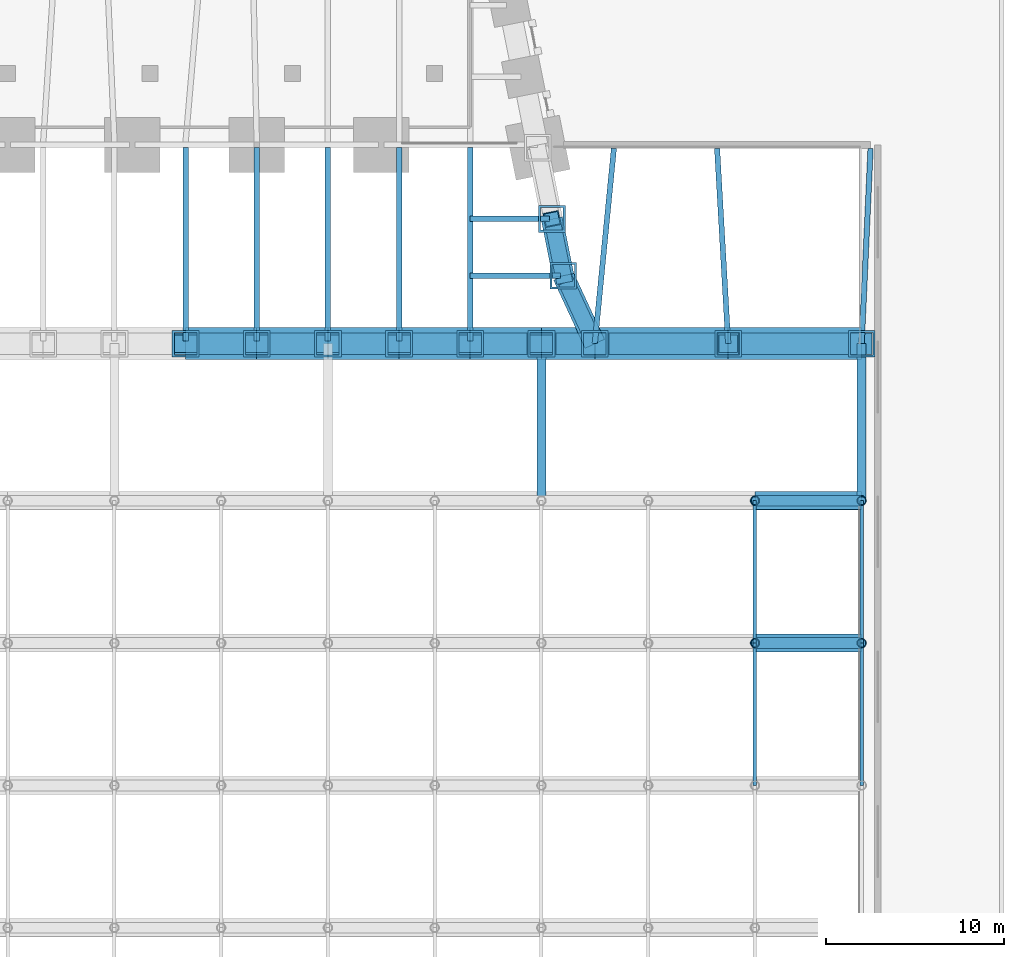
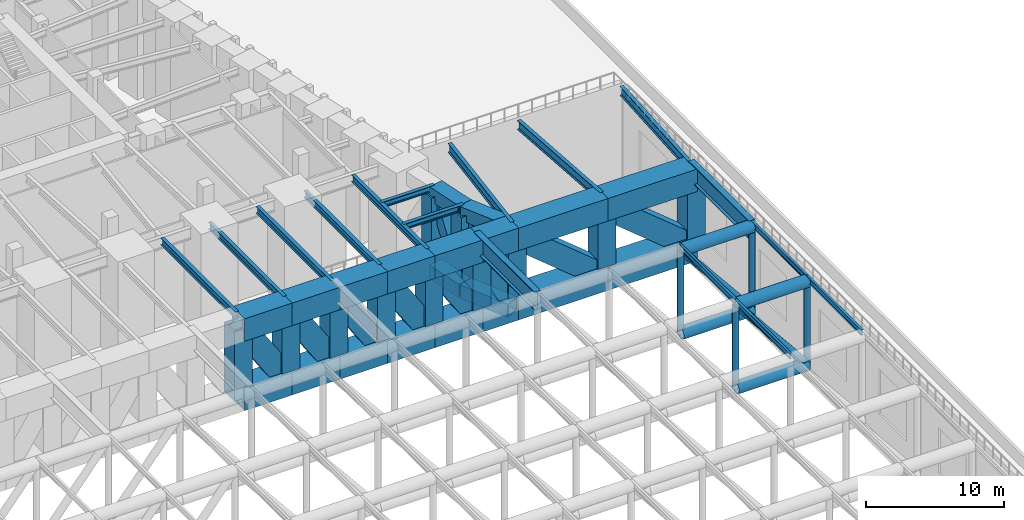
# One storey, part 6 of 20: 51 members, 16 beams.
"""IFC4 building model written with IfcOpenShell, lengths in metres."""

import ifcopenshell
import ifcopenshell.guid

model = None  # the IFC model being written
_history = None  # IfcOwnerHistory: only IFC2X3 demands one
_inside = {}  # id of a spatial element -> (the spatial element, [elements in it])
_under = {}  # id of a project, library or spatial element -> (it, [spatial elements below it])
_declared = {}  # id of a project -> (the project, [libraries it declares])
_typed = {}  # id of a type object -> (the type object, [elements of that type])
_made_of = {}  # id of a material, layer set ... -> (it, [elements and type objects made of it])


def new_model(schema):
    """Start an empty IFC model of exactly this schema.

    Asked for "IFC4X3", IfcOpenShell would pick the latest addendum, in which some entities
    have other attributes; the version numbers below select the first issue.
    IFC2X3 requires an IfcOwnerHistory on every rooted entity: one is made here for all.
    """
    global model, _history
    if schema == "IFC4X3":
        model = ifcopenshell.file(schema_version=(4, 3, 0, 0))
    else:
        model = ifcopenshell.file(schema=schema)
    _inside.clear()
    _under.clear()
    _declared.clear()
    _typed.clear()
    _made_of.clear()
    _history = None
    if model.schema == "IFC2X3":
        org = make("IfcOrganization", Name="unknown")
        user = make(
            "IfcPersonAndOrganization",
            ThePerson=make("IfcPerson", FamilyName="unknown"),
            TheOrganization=org,
        )
        app = make(
            "IfcApplication",
            ApplicationDeveloper=org,
            Version="unknown",
            ApplicationFullName="unknown",
            ApplicationIdentifier="unknown",
        )
        _history = make(
            "IfcOwnerHistory",
            OwningUser=user,
            OwningApplication=app,
            ChangeAction="ADDED",
            CreationDate=0,
        )
    return model


def make(cls, **values):
    """One entity of the class cls with the attributes given. An attribute that is None is left unset."""
    return model.create_entity(
        cls, **{name: value for name, value in values.items() if value is not None}
    )


def rooted(cls, **values):
    """An entity with a GlobalId (a new one), such as an element, a storey or a relation."""
    return make(cls, GlobalId=ifcopenshell.guid.new(), OwnerHistory=_history, **values)


def si_unit(unit_type, name, prefix=None):
    """IfcSIUnit, for example si_unit("LENGTHUNIT", "METRE", prefix="MILLI")."""
    return make("IfcSIUnit", UnitType=unit_type, Prefix=prefix, Name=name)


def assignment(units):
    """IfcUnitAssignment: the units of a project."""
    return None if units is None else make("IfcUnitAssignment", Units=units)


def point(xyz):
    """IfcCartesianPoint."""
    return None if xyz is None else make("IfcCartesianPoint", Coordinates=xyz)


def direction(xyz):
    """IfcDirection."""
    return None if xyz is None else make("IfcDirection", DirectionRatios=xyz)


def frame(location, z_axis=None, x_axis=None):
    """IfcAxis2Placement3D, a coordinate frame: its origin and axes. An axis left out is left unset."""
    return make(
        "IfcAxis2Placement3D",
        Location=point(location),
        Axis=direction(z_axis),
        RefDirection=direction(x_axis),
    )


def frame_2d(location, x_axis=None):
    """IfcAxis2Placement2D, a coordinate frame in the plane: its origin and x axis."""
    return make(
        "IfcAxis2Placement2D", Location=point(location), RefDirection=direction(x_axis)
    )


def origin():
    """The frame at (0, 0, 0) with its axes left unset."""
    return frame((0.0, 0.0, 0.0))


def origin_2d():
    """The frame at (0, 0) in the plane with its x axis left unset."""
    return frame_2d((0.0, 0.0))


def place(relative_to, where):
    """IfcLocalPlacement: puts the frame where relative to a parent placement (None: the world)."""
    return make(
        "IfcLocalPlacement", PlacementRelTo=relative_to, RelativePlacement=where
    )


def context(
    kind, dimensions, precision=None, world=None, true_north=None, identifier=None
):
    """IfcGeometricRepresentationContext, for example the 3D "Model" context."""
    return make(
        "IfcGeometricRepresentationContext",
        ContextIdentifier=identifier,
        ContextType=kind,
        CoordinateSpaceDimension=dimensions,
        Precision=precision,
        WorldCoordinateSystem=world,
        TrueNorth=true_north,
    )


def subcontext(parent, identifier, kind, view, scale=None):
    """IfcGeometricRepresentationSubContext, for example "Body" below "Model"."""
    return make(
        "IfcGeometricRepresentationSubContext",
        ContextIdentifier=identifier,
        ContextType=kind,
        ParentContext=parent,
        TargetScale=scale,
        TargetView=view,
    )


def project(units=None, contexts=None):
    """IfcProject with its units and contexts."""
    return rooted(
        "IfcProject",
        Name="project",
        RepresentationContexts=contexts,
        UnitsInContext=assignment(units),
    )


def spatial(cls, under=None, at=None, **own):
    """A site, building, storey or space (cls), placed at a placement, below another one or the project."""
    s = rooted(cls, ObjectPlacement=at, **own)
    if under is not None:
        _under.setdefault(under.id(), (under, []))[1].append(s)
    return s


def profile(cls, at=None, kind="AREA", **sizes):
    """A parametric profile (cls). Its sizes go by their IFC names, for example OverallWidth=200.0."""
    return make(cls, ProfileType=kind, Position=at, **sizes)


def hollow_rectangle(**sizes):
    """IfcRectangleHollowProfileDef."""
    return profile("IfcRectangleHollowProfileDef", **sizes)


def hollow_circle(**sizes):
    """IfcCircleHollowProfileDef."""
    return profile("IfcCircleHollowProfileDef", **sizes)


def i_section(**sizes):
    """IfcIShapeProfileDef."""
    return profile("IfcIShapeProfileDef", **sizes)


def extrude(swept, where, along, depth):
    """IfcExtrudedAreaSolid: the profile swept, set in the frame where, extruded along a direction by depth."""
    return make(
        "IfcExtrudedAreaSolid",
        SweptArea=swept,
        Position=where,
        ExtrudedDirection=direction(along),
        Depth=depth,
    )


def shape(context_of_items, identifier, shape_type, items):
    """IfcShapeRepresentation: the items that make up one representation, for example the "Body"."""
    return make(
        "IfcShapeRepresentation",
        ContextOfItems=context_of_items,
        RepresentationIdentifier=identifier,
        RepresentationType=shape_type,
        Items=items,
    )


def material(Name=None, Category=None):
    """IfcMaterial."""
    return make("IfcMaterial", Name=Name, Category=Category)


def material_profile(
    of_material, cross_section, Name=None, Category=None, Priority=None
):
    """IfcMaterialProfile: a cross section and its material."""
    return make(
        "IfcMaterialProfile",
        Name=Name,
        Material=of_material,
        Profile=cross_section,
        Priority=Priority,
        Category=Category,
    )


def profile_set(profiles, Name=None, composite=None):
    """IfcMaterialProfileSet."""
    return make(
        "IfcMaterialProfileSet",
        Name=Name,
        MaterialProfiles=profiles,
        CompositeProfile=composite,
    )


def made_of(thing, what):
    """Note that an element or type object is made of a material, layer set ...; save() writes the relation."""
    if what is not None:
        _made_of.setdefault(what.id(), (what, []))[1].append(thing)
    return thing


def type_object(cls, material=None, **own):
    """A type object (cls), such as IfcWallType, which elements share."""
    return made_of(rooted(cls, **own), material)


def element(
    cls,
    number,
    at=None,
    inside=None,
    cuts=None,
    type_object=None,
    material=None,
    context=None,
    identifier="Body",
    shape_type=None,
    held_by="IfcProductDefinitionShape",
    body=None,
    shapes=None,
    **own,
):
    """One element of the class cls, such as IfcWall. Its Tag is "e" and its number.

    at: its placement. inside: the storey or other place that contains it. cuts: it is an
    opening in that element (IfcRelVoidsElement). A single representation is given by context,
    identifier, shape_type and body (its items); several are given by shapes. held_by: the class
    of the entity that holds the representations. save() writes the other relations.
    """
    e = rooted(cls, Tag="e%d" % number, ObjectPlacement=at, **own)
    if body is not None:
        shapes = [shape(context, identifier, shape_type, body)]
    if shapes is not None:
        e.Representation = make(held_by, Representations=shapes)
    if inside is not None:
        _inside.setdefault(inside.id(), (inside, []))[1].append(e)
    if cuts is not None:
        rooted(
            "IfcRelVoidsElement", RelatingBuildingElement=cuts, RelatedOpeningElement=e
        )
    if type_object is not None:
        _typed.setdefault(type_object.id(), (type_object, []))[1].append(e)
    return made_of(e, material)


def aggregate(whole, parts):
    """IfcRelAggregates: a whole, such as a stair, and the parts it consists of."""
    return rooted("IfcRelAggregates", RelatingObject=whole, RelatedObjects=parts)


def save(model, path):
    """Write the relations noted so far, then the file.

    IfcRelAggregates (storeys below a building ...), IfcRelContainedInSpatialStructure (elements
    in a storey), IfcRelDefinesByType, IfcRelAssociatesMaterial and IfcRelDeclares: one each for
    every whole, place, type object, material and project.
    """
    for whole, parts in _under.values():
        aggregate(whole, parts)
    for where, things in _inside.values():
        rooted(
            "IfcRelContainedInSpatialStructure",
            RelatedElements=things,
            RelatingStructure=where,
        )
    for kind, things in _typed.values():
        rooted("IfcRelDefinesByType", RelatedObjects=things, RelatingType=kind)
    for what, things in _made_of.values():
        rooted("IfcRelAssociatesMaterial", RelatedObjects=things, RelatingMaterial=what)
    for by, libraries in _declared.values():
        rooted("IfcRelDeclares", RelatingContext=by, RelatedDefinitions=libraries)
    model.write(path)


model = new_model("IFC4")

# Units and contexts
model_context = context("Model", 3, precision=1e-05, world=origin(), true_north=direction((0.0, 1.0)))
body_context = subcontext(model_context, "Body", "Model", "MODEL_VIEW")
ifc_project = project(units=[si_unit("LENGTHUNIT", "METRE"), si_unit("AREAUNIT", "SQUARE_METRE"), si_unit("VOLUMEUNIT", "CUBIC_METRE"), si_unit("PLANEANGLEUNIT", "RADIAN"), si_unit("MASSUNIT", "GRAM", prefix="KILO")], contexts=[model_context])

# Site, building, storey
site_placement = place(None, origin())
site = spatial("IfcSite", under=ifc_project, at=site_placement, CompositionType="ELEMENT")
building_placement = place(site_placement, origin())
building = spatial("IfcBuilding", under=site, at=building_placement, Name="Isbrekke Arena Tower", CompositionType="ELEMENT")
storey_placement = place(building_placement, frame((0.0, 0.0, 19.0)))
storey = spatial("IfcBuildingStorey", under=building, at=storey_placement, Name="L03", CompositionType="ELEMENT", Elevation=19.0)

# Beams
ifc_material_1 = material(Name="Steel S355", Category="steel")
ifc_material_profile_1 = material_profile(ifc_material_1, i_section(OverallWidth=0.304931640625, OverallDepth=0.6201171875, WebThickness=0.02099609375, FlangeThickness=0.0400390625, FilletRadius=0.027099609375, at=origin_2d()), Name="HEM 600")
ifc_profile_set_1 = profile_set([ifc_material_profile_1], Name="Steel S355")
beam_type_1 = type_object("IfcBeamType", Name="B4 HEM 600", PredefinedType="BEAM", material=ifc_profile_set_1)
beam_1_placement = place(storey_placement, frame((10.0, -17.02490234375, 8.43994140625), z_axis=(0.0, 1.0, 0.0), x_axis=(-1.0, 0.0, 0.0)))
element("IfcBeam", 1, at=beam_1_placement, inside=storey, type_object=beam_type_1, Name="B4 beam S-S11 L03", PredefinedType="BEAM", context=body_context, shape_type="SweptSolid", body=[
    extrude(i_section(OverallWidth=0.304931640625, OverallDepth=0.6201171875, WebThickness=0.02099609375, FlangeThickness=0.0400390625, FilletRadius=0.027099609375, at=origin_2d()), origin(), (0.0, 0.0, 1.0), 10.8740234375),
])
beam_2_placement = place(storey_placement, frame((14.0, -17.02490234375, 8.43994140625), z_axis=(0.0, 1.0, 0.0), x_axis=(-1.0, 0.0, 0.0)))
element("IfcBeam", 2, at=beam_2_placement, inside=storey, type_object=beam_type_1, Name="B4 beam S-S12 L03", PredefinedType="BEAM", context=body_context, shape_type="SweptSolid", body=[
    extrude(i_section(OverallWidth=0.304931640625, OverallDepth=0.6201171875, WebThickness=0.02099609375, FlangeThickness=0.0400390625, FilletRadius=0.027099609375, at=origin_2d()), origin(), (0.0, 0.0, 1.0), 10.875),
])
for number, where, z_axis, x_axis, name in (
    (3, (18.0, -17.02490234375, 8.43994140625), (0.0, 1.0, 0.0), (-1.0, 0.0, 0.0), "B4 beam S-S13 L03"),
    (4, (22.0, -17.02490234375, 8.43994140625), (0.0, 1.0, 0.0), (-1.0, 0.0, 0.0), "B4 beam S-S14 L03"),
    (5, (26.0, -17.02490234375, 8.43994140625), (0.0, 1.0, 0.0), (-1.0, 0.0, 0.0), "B4 beam S-S15 L03"),
):
    element("IfcBeam", number, at=place(storey_placement, frame(where, z_axis=z_axis, x_axis=x_axis)), inside=storey, type_object=beam_type_1, Name=name, PredefinedType="BEAM", context=body_context, shape_type="SweptSolid", body=[
        extrude(i_section(OverallWidth=0.304931640625, OverallDepth=0.6201171875, WebThickness=0.02099609375, FlangeThickness=0.0400390625, FilletRadius=0.027099609375, at=origin_2d()), origin(), (0.0, 0.0, 1.0), 10.8740234375),
    ])
ifc_material_2 = material(Name="Steel S355", Category="steel")
ifc_material_profile_2 = material_profile(ifc_material_2, i_section(OverallWidth=0.305908203125, OverallDepth=0.52392578125, WebThickness=0.02099609375, FlangeThickness=0.0400390625, FilletRadius=0.027099609375, at=origin_2d()), Name="HEM 500")
ifc_profile_set_2 = profile_set([ifc_material_profile_2], Name="Steel S355")
beam_type_2 = type_object("IfcBeamType", Name="B5 HEM 500", PredefinedType="BEAM", material=ifc_profile_set_2)
beam_3_placement = place(storey_placement, frame((31.079345703125, -13.352783203125, 8.488037109375), z_axis=(-1.0, 0.0, 0.0), x_axis=(0.0, -1.0, 0.0)))
element("IfcBeam", 6, at=beam_3_placement, inside=storey, type_object=beam_type_2, Name="B5 beam E-E01 L03", PredefinedType="BEAM", context=body_context, shape_type="SweptSolid", body=[
    extrude(i_section(OverallWidth=0.305908203125, OverallDepth=0.52392578125, WebThickness=0.02099609375, FlangeThickness=0.0400390625, FilletRadius=0.027099609375, at=origin_2d()), origin(), (0.0, 0.0, 1.0), 5.079345703125),
])
beam_4_placement = place(storey_placement, frame((30.44091796875, -10.161865234375, 8.488037109375), z_axis=(-1.0, 0.0, 0.0), x_axis=(0.0, -1.0, 0.0)))
element("IfcBeam", 7, at=beam_4_placement, inside=storey, type_object=beam_type_2, Name="B5 beam E-E02 L03", PredefinedType="BEAM", context=body_context, shape_type="SweptSolid", body=[
    extrude(i_section(OverallWidth=0.305908203125, OverallDepth=0.52392578125, WebThickness=0.02099609375, FlangeThickness=0.0400390625, FilletRadius=0.027099609375, at=origin_2d()), origin(), (0.0, 0.0, 1.0), 4.44091796875),
])
ifc_material_3 = material(Name="Steel S355", Category="steel")
ifc_material_profile_3 = material_profile(ifc_material_3, i_section(OverallWidth=0.199951171875, OverallDepth=0.5, WebThickness=0.01025390625, FlangeThickness=0.01611328125, FilletRadius=0.02099609375, at=origin_2d()), Name="IPE 500")
ifc_profile_set_3 = profile_set([ifc_material_profile_3], Name="Steel S355")
beam_type_3 = type_object("IfcBeamType", Name="RP1 IPE 500", PredefinedType="BEAM", material=ifc_profile_set_3)
for number, where, z_axis, x_axis, name in (
    (8, (42.0, -42.0, 8.75), (0.0, 1.0, 0.0), (-1.0, 0.0, 0.0), "RP1 roof purlin 4.16"),
    (9, (48.0, -42.0, 8.75), (0.0, 1.0, 0.0), (-1.0, 0.0, 0.0), "RP1 roof purlin 4.17"),
    (10, (42.0, -34.0, 8.75), (0.0, 1.0, 0.0), (-1.0, 0.0, 0.0), "RP1 roof purlin 5.16"),
    (11, (48.0, -34.0, 8.75), (0.0, 1.0, 0.0), (-1.0, 0.0, 0.0), "RP1 roof purlin 5.17"),
):
    element("IfcBeam", number, at=place(storey_placement, frame(where, z_axis=z_axis, x_axis=x_axis)), inside=storey, type_object=beam_type_3, Name=name, PredefinedType="BEAM", context=body_context, shape_type="SweptSolid", body=[
        extrude(i_section(OverallWidth=0.199951171875, OverallDepth=0.5, WebThickness=0.01025390625, FlangeThickness=0.01611328125, FilletRadius=0.02099609375, at=origin_2d()), origin(), (0.0, 0.0, 1.0), 8.0),
    ])
ifc_material_4 = material(Name="Steel S355", Category="steel")
ifc_material_profile_4 = material_profile(ifc_material_4, i_section(OverallWidth=0.302978515625, OverallDepth=0.81396484375, WebThickness=0.02099609375, FlangeThickness=0.0400390625, FilletRadius=0.030029296875, at=origin_2d()), Name="HEM 800")
ifc_profile_set_4 = profile_set([ifc_material_profile_4], Name="Steel S355")
beam_type_4 = type_object("IfcBeamType", Name="RP2 HEM 800", PredefinedType="BEAM", material=ifc_profile_set_4)
beam_5_placement = place(storey_placement, frame((33.00146484375, -17.160400390625, 8.343017578125), z_axis=(0.097475413032, 0.995237933287, 0.0), x_axis=(-0.995237933287, 0.097475413032, 0.0)))
element("IfcBeam", 12, at=beam_5_placement, inside=storey, type_object=beam_type_4, Name="RP2 roof purlin NE33", PredefinedType="BEAM", context=body_context, shape_type="SweptSolid", body=[
    extrude(i_section(OverallWidth=0.302978515625, OverallDepth=0.81396484375, WebThickness=0.02099609375, FlangeThickness=0.0400390625, FilletRadius=0.030029296875, at=origin_2d()), origin(), (0.0, 0.0, 1.0), 11.012939453125),
])
beam_6_placement = place(storey_placement, frame((40.49951171875, -17.16650390625, 8.343017578125), z_axis=(-0.056854834738, 0.998382455659, 0.0), x_axis=(-0.998382455659, -0.056854834738, 0.0)))
element("IfcBeam", 13, at=beam_6_placement, inside=storey, type_object=beam_type_4, Name="RP2 roof purlin NE40", PredefinedType="BEAM", context=body_context, shape_type="SweptSolid", body=[
    extrude(i_section(OverallWidth=0.302978515625, OverallDepth=0.81396484375, WebThickness=0.02099609375, FlangeThickness=0.0400390625, FilletRadius=0.030029296875, at=origin_2d()), origin(), (0.0, 0.0, 1.0), 10.984375),
])
beam_7_placement = place(storey_placement, frame((48.000244140625, -17.168212890625, 8.343017578125), z_axis=(0.045516592931, 0.998963582804, 0.0), x_axis=(-0.998963582804, 0.045516592931, 0.0)))
element("IfcBeam", 14, at=beam_7_placement, inside=storey, type_object=beam_type_4, Name="RP2 roof purlin NE48", PredefinedType="BEAM", context=body_context, shape_type="SweptSolid", body=[
    extrude(i_section(OverallWidth=0.302978515625, OverallDepth=0.81396484375, WebThickness=0.02099609375, FlangeThickness=0.0400390625, FilletRadius=0.030029296875, at=origin_2d()), origin(), (0.0, 0.0, 1.0), 10.979736328125),
])
ifc_material_5 = material(Name="Steel S460", Category="steel")
ifc_material_profile_5 = material_profile(ifc_material_5, i_section(OverallWidth=0.5, OverallDepth=1.60009765625, WebThickness=0.030029296875, FlangeThickness=0.06005859375, at=origin_2d()), Name="PG 1600x500")
ifc_profile_set_5 = profile_set([ifc_material_profile_5], Name="Steel S460")
beam_type_5 = type_object("IfcBeamType", Name="RP3 PG 1600x500", PredefinedType="BEAM", material=ifc_profile_set_5)
for number, where, z_axis, x_axis, name in (
    (15, (30.0, -26.0, 8.199951171875), (0.0, 1.0, 0.0), (-1.0, 0.0, 0.0), "RP3 roof purlin 6.14"),
    (16, (48.0, -26.0, 8.199951171875), (0.0, 1.0, 0.0), (-1.0, 0.0, 0.0), "RP3 roof purlin 6.17"),
):
    element("IfcBeam", number, at=place(storey_placement, frame(where, z_axis=z_axis, x_axis=x_axis)), inside=storey, type_object=beam_type_5, Name=name, PredefinedType="BEAM", context=body_context, shape_type="SweptSolid", body=[
        extrude(i_section(OverallWidth=0.5, OverallDepth=1.60009765625, WebThickness=0.030029296875, FlangeThickness=0.06005859375, at=origin_2d()), origin(), (0.0, 0.0, 1.0), 8.824951171875),
    ])

# Members
ifc_material_6 = material(Name="Steel S355", Category="steel")
ifc_material_profile_6 = material_profile(ifc_material_6, hollow_circle(Radius=0.508056640625, WallThickness=0.050048828125, at=origin_2d()), Name="CHS 1016x50")
ifc_profile_set_6 = profile_set([ifc_material_profile_6], Name="Steel S355")
member_type_1 = type_object("IfcMemberType", Name="RT1 CHS 1016x50", PredefinedType="CHORD", material=ifc_profile_set_6)
for number, where, z_axis, x_axis, name in (
    (17, (42.0, -34.0, 1.10791015625), (1.0, 0.0, 0.0), (0.0, 1.0, 0.0), "RT5 arena roof truss bottom chord 16"),
    (18, (42.0, -34.0, 8.491943359375), (1.0, 0.0, 0.0), (0.0, 1.0, 0.0), "RT5 arena roof truss top chord 16"),
):
    element("IfcMember", number, at=place(storey_placement, frame(where, z_axis=z_axis, x_axis=x_axis)), inside=storey, type_object=member_type_1, Name=name, PredefinedType="CHORD", context=body_context, shape_type="SweptSolid", body=[
        extrude(hollow_circle(Radius=0.508056640625, WallThickness=0.050048828125, at=origin_2d()), origin(), (0.0, 0.0, 1.0), 6.0),
    ])
ifc_material_7 = material(Name="Steel S355", Category="steel")
ifc_material_profile_7 = material_profile(ifc_material_7, hollow_circle(Radius=0.508056640625, WallThickness=0.080078125, at=origin_2d()), Name="CHS 1016x80")
ifc_profile_set_7 = profile_set([ifc_material_profile_7], Name="Steel S355")
member_type_2 = type_object("IfcMemberType", Name="RT1H CHS 1016x80", PredefinedType="CHORD", material=ifc_profile_set_7)
for number, where, z_axis, x_axis, name in (
    (19, (42.0, -26.0, 1.10791015625), (1.0, 0.0, 0.0), (0.0, 1.0, 0.0), "RT6 arena roof truss bottom chord 16"),
    (20, (42.0, -26.0, 8.491943359375), (1.0, 0.0, 0.0), (0.0, 1.0, 0.0), "RT6 arena roof truss top chord 16"),
):
    element("IfcMember", number, at=place(storey_placement, frame(where, z_axis=z_axis, x_axis=x_axis)), inside=storey, type_object=member_type_2, Name=name, PredefinedType="CHORD", context=body_context, shape_type="SweptSolid", body=[
        extrude(hollow_circle(Radius=0.508056640625, WallThickness=0.080078125, at=origin_2d()), origin(), (0.0, 0.0, 1.0), 6.0),
    ])
ifc_material_8 = material(Name="Steel S355", Category="steel")
ifc_material_profile_8 = material_profile(ifc_material_8, hollow_circle(Radius=0.25390625, WallThickness=0.02001953125, at=origin_2d()), Name="CHS 508x20")
ifc_profile_set_8 = profile_set([ifc_material_profile_8], Name="Steel S355")
member_type_3 = type_object("IfcMemberType", Name="RT2 CHS 508x20", PredefinedType="POST", material=ifc_profile_set_8)
for number, where, z_axis, x_axis, name in (
    (21, (42.0, -34.0, 1.10791015625), (0.0, 0.0, 1.0), (1.0, 0.0, 0.0), "RT5 arena roof truss post 16"),
    (22, (48.0, -34.0, 1.10791015625), (0.0, 0.0, 1.0), (1.0, 0.0, 0.0), "RT5 arena roof truss post 17"),
    (23, (42.0, -26.0, 1.10791015625), (0.0, 0.0, 1.0), (1.0, 0.0, 0.0), "RT6 arena roof truss post 16"),
    (24, (48.0, -26.0, 1.10791015625), (0.0, 0.0, 1.0), (1.0, 0.0, 0.0), "RT6 arena roof truss post 17"),
):
    element("IfcMember", number, at=place(storey_placement, frame(where, z_axis=z_axis, x_axis=x_axis)), inside=storey, type_object=member_type_3, Name=name, PredefinedType="POST", context=body_context, shape_type="SweptSolid", body=[
        extrude(hollow_circle(Radius=0.25390625, WallThickness=0.02001953125, at=origin_2d()), origin(), (0.0, 0.0, 1.0), 7.384033203125),
    ])
ifc_material_9 = material(Name="Steel S355", Category="steel")
ifc_material_profile_9 = material_profile(ifc_material_9, hollow_circle(Radius=0.304931640625, WallThickness=0.050048828125, at=origin_2d()), Name="CHS 610x50")
ifc_profile_set_9 = profile_set([ifc_material_profile_9], Name="Steel S355")
member_type_4 = type_object("IfcMemberType", Name="RT3 CHS 610x50", PredefinedType="BRACE", material=ifc_profile_set_9)
for number, where, z_axis, x_axis, name in (
    (25, (42.0, -34.0, 8.491943359375), (0.630622571469, 0.0, -0.776089667728), (0.0, 1.0, 0.0), "RT5 arena roof truss diagonal 16"),
    (26, (42.0, -26.0, 8.491943359375), (0.630622571469, 0.0, -0.776089667728), (0.0, 1.0, 0.0), "RT6 arena roof truss diagonal 16"),
):
    element("IfcMember", number, at=place(storey_placement, frame(where, z_axis=z_axis, x_axis=x_axis)), inside=storey, type_object=member_type_4, Name=name, PredefinedType="BRACE", context=body_context, shape_type="SweptSolid", body=[
        extrude(hollow_circle(Radius=0.304931640625, WallThickness=0.050048828125, at=origin_2d()), origin(), (0.0, 0.0, 1.0), 9.514404296875),
    ])
ifc_material_10 = material(Name="Steel S460", Category="steel")
ifc_material_profile_10 = material_profile(ifc_material_10, hollow_rectangle(XDim=1.800048828125, YDim=2.0, WallThickness=0.199951171875, at=origin_2d()), Name="BOX 1800x2000x200")
ifc_profile_set_10 = profile_set([ifc_material_profile_10], Name="Steel S460")
member_type_5 = type_object("IfcMemberType", Name="TT1 BOX 1800x2000x200", PredefinedType="CHORD", material=ifc_profile_set_10)
for number, where, z_axis, x_axis, name in (
    (27, (10.0, -17.175048828125, 1.60009765625), (1.0, 0.0, 0.0), (0.0, 1.0, 0.0), "TT1 transfer truss bottom chord 14"),
    (28, (10.0, -17.175048828125, 7.75), (1.0, 0.0, 0.0), (0.0, 1.0, 0.0), "TT1 transfer truss top chord 14"),
    (29, (14.0, -17.175048828125, 1.60009765625), (1.0, 0.0, 0.0), (0.0, 1.0, 0.0), "TT1 transfer truss bottom chord 15"),
    (30, (14.0, -17.175048828125, 7.75), (1.0, 0.0, 0.0), (0.0, 1.0, 0.0), "TT1 transfer truss top chord 15"),
    (31, (18.0, -17.175048828125, 1.60009765625), (1.0, 0.0, 0.0), (0.0, 1.0, 0.0), "TT1 transfer truss bottom chord 16"),
    (32, (18.0, -17.175048828125, 7.75), (1.0, 0.0, 0.0), (0.0, 1.0, 0.0), "TT1 transfer truss top chord 16"),
    (33, (22.0, -17.175048828125, 1.60009765625), (1.0, 0.0, 0.0), (0.0, 1.0, 0.0), "TT1 transfer truss bottom chord 17"),
    (34, (22.0, -17.175048828125, 7.75), (1.0, 0.0, 0.0), (0.0, 1.0, 0.0), "TT1 transfer truss top chord 17"),
    (35, (26.0, -17.175048828125, 1.60009765625), (1.0, 0.0, 0.0), (0.0, 1.0, 0.0), "TT1 transfer truss bottom chord 18"),
    (36, (26.0, -17.175048828125, 7.75), (1.0, 0.0, 0.0), (0.0, 1.0, 0.0), "TT1 transfer truss top chord 18"),
):
    element("IfcMember", number, at=place(storey_placement, frame(where, z_axis=z_axis, x_axis=x_axis)), inside=storey, type_object=member_type_5, Name=name, PredefinedType="CHORD", context=body_context, shape_type="SweptSolid", body=[
        extrude(hollow_rectangle(XDim=1.800048828125, YDim=2.0, WallThickness=0.199951171875, at=origin_2d()), origin(), (0.0, 0.0, 1.0), 4.0),
    ])
for number, where, z_axis, x_axis, name in (
    (37, (30.0, -17.175048828125, 1.60009765625), (1.0, 0.0, 0.0), (0.0, 1.0, 0.0), "TT1 transfer truss bottom chord 19"),
    (38, (30.0, -17.175048828125, 7.75), (1.0, 0.0, 0.0), (0.0, 1.0, 0.0), "TT1 transfer truss top chord 19"),
):
    element("IfcMember", number, at=place(storey_placement, frame(where, z_axis=z_axis, x_axis=x_axis)), inside=storey, type_object=member_type_5, Name=name, PredefinedType="CHORD", context=body_context, shape_type="SweptSolid", body=[
        extrude(hollow_rectangle(XDim=1.800048828125, YDim=2.0, WallThickness=0.199951171875, at=origin_2d()), origin(), (0.0, 0.0, 1.0), 3.0),
    ])
for number, where, z_axis, x_axis, name in (
    (39, (33.0, -17.175048828125, 1.60009765625), (1.0, 0.0, 0.0), (0.0, 1.0, 0.0), "TT1 transfer truss bottom chord 20"),
    (40, (33.0, -17.175048828125, 7.75), (1.0, 0.0, 0.0), (0.0, 1.0, 0.0), "TT1 transfer truss top chord 20"),
    (41, (40.5, -17.175048828125, 1.60009765625), (1.0, 0.0, 0.0), (0.0, 1.0, 0.0), "TT1 transfer truss bottom chord 21"),
    (42, (40.5, -17.175048828125, 7.75), (1.0, 0.0, 0.0), (0.0, 1.0, 0.0), "TT1 transfer truss top chord 21"),
):
    element("IfcMember", number, at=place(storey_placement, frame(where, z_axis=z_axis, x_axis=x_axis)), inside=storey, type_object=member_type_5, Name=name, PredefinedType="CHORD", context=body_context, shape_type="SweptSolid", body=[
        extrude(hollow_rectangle(XDim=1.800048828125, YDim=2.0, WallThickness=0.199951171875, at=origin_2d()), origin(), (0.0, 0.0, 1.0), 7.5),
    ])
ifc_material_11 = material(Name="Steel S460", Category="steel")
ifc_material_profile_11 = material_profile(ifc_material_11, hollow_rectangle(XDim=1.5, YDim=1.5, WallThickness=0.1201171875, at=origin_2d()), Name="BOX 1500x1500x120")
ifc_profile_set_11 = profile_set([ifc_material_profile_11], Name="Steel S460")
member_type_6 = type_object("IfcMemberType", Name="TT2 BOX 1500x1500x120", PredefinedType="POST", material=ifc_profile_set_11)
for number, where, z_axis, x_axis, name in (
    (43, (10.0, -17.175048828125, 1.60009765625), (0.0, 0.0, 1.0), (1.0, 0.0, 0.0), "TT1 transfer truss post 14"),
    (44, (14.0, -17.175048828125, 1.60009765625), (0.0, 0.0, 1.0), (1.0, 0.0, 0.0), "TT1 transfer truss post 15"),
    (45, (18.0, -17.175048828125, 1.60009765625), (0.0, 0.0, 1.0), (1.0, 0.0, 0.0), "TT1 transfer truss post 16"),
    (46, (22.0, -17.175048828125, 1.60009765625), (0.0, 0.0, 1.0), (1.0, 0.0, 0.0), "TT1 transfer truss post 17"),
    (47, (26.0, -17.175048828125, 1.60009765625), (0.0, 0.0, 1.0), (1.0, 0.0, 0.0), "TT1 transfer truss post 18"),
    (48, (30.0, -17.175048828125, 1.60009765625), (0.0, 0.0, 1.0), (1.0, 0.0, 0.0), "TT1 transfer truss post 19"),
    (49, (33.0, -17.175048828125, 1.60009765625), (0.0, 0.0, 1.0), (1.0, 0.0, 0.0), "TT1 transfer truss post 20"),
    (50, (40.5, -17.175048828125, 1.60009765625), (0.0, 0.0, 1.0), (1.0, 0.0, 0.0), "TT1 transfer truss post 21"),
    (51, (48.0, -17.175048828125, 1.60009765625), (0.0, 0.0, 1.0), (1.0, 0.0, 0.0), "TT1 transfer truss post 22"),
):
    element("IfcMember", number, at=place(storey_placement, frame(where, z_axis=z_axis, x_axis=x_axis)), inside=storey, type_object=member_type_6, Name=name, PredefinedType="POST", context=body_context, shape_type="SweptSolid", body=[
        extrude(hollow_rectangle(XDim=1.5, YDim=1.5, WallThickness=0.1201171875, at=origin_2d()), origin(), (0.0, 0.0, 1.0), 6.14990234375),
    ])
for number, where, z_axis, x_axis, name in (
    (52, (31.229248046875, -13.352783203125, 1.199951171875), (0.0, 0.0, 1.0), (1.0, 0.0, 0.0), "TT2 side transfer truss E post 2"),
    (53, (30.591064453125, -10.161865234375, 1.199951171875), (0.0, 0.0, 1.0), (1.0, 0.0, 0.0), "TT2 side transfer truss E post 3"),
):
    element("IfcMember", number, at=place(storey_placement, frame(where, z_axis=z_axis, x_axis=x_axis)), inside=storey, type_object=member_type_6, Name=name, PredefinedType="POST", context=body_context, shape_type="SweptSolid", body=[
        extrude(hollow_rectangle(XDim=1.5, YDim=1.5, WallThickness=0.1201171875, at=origin_2d()), origin(), (0.0, 0.0, 1.0), 6.949951171875),
    ])
ifc_material_12 = material(Name="Steel S460", Category="steel")
ifc_material_profile_12 = material_profile(ifc_material_12, hollow_rectangle(XDim=1.199951171875, YDim=1.800048828125, WallThickness=0.10009765625, at=origin_2d()), Name="BOX 1200x1800x100")
ifc_profile_set_12 = profile_set([ifc_material_profile_12], Name="Steel S460")
member_type_7 = type_object("IfcMemberType", Name="TT3 BOX 1200x1800x100", PredefinedType="BRACE", material=ifc_profile_set_12)
for number, where, z_axis, x_axis, name in (
    (54, (10.0, -17.175048828125, 7.75), (0.545233967716, 0.0, -0.838283913987), (0.0, 1.0, 0.0), "TT1 transfer truss diagonal 14"),
    (55, (14.0, -17.175048828125, 7.75), (0.545233967716, 0.0, -0.838283913987), (0.0, 1.0, 0.0), "TT1 transfer truss diagonal 15"),
    (56, (18.0, -17.175048828125, 7.75), (0.545233967716, 0.0, -0.838283913987), (0.0, 1.0, 0.0), "TT1 transfer truss diagonal 16"),
    (57, (22.0, -17.175048828125, 7.75), (0.545233967716, 0.0, -0.838283913987), (0.0, 1.0, 0.0), "TT1 transfer truss diagonal 17"),
    (58, (26.0, -17.175048828125, 7.75), (0.545233967716, 0.0, -0.838283913987), (0.0, 1.0, 0.0), "TT1 transfer truss diagonal 18"),
):
    element("IfcMember", number, at=place(storey_placement, frame(where, z_axis=z_axis, x_axis=x_axis)), inside=storey, type_object=member_type_7, Name=name, PredefinedType="BRACE", context=body_context, shape_type="SweptSolid", body=[
        extrude(hollow_rectangle(XDim=1.199951171875, YDim=1.800048828125, WallThickness=0.10009765625, at=origin_2d()), origin(), (0.0, 0.0, 1.0), 7.336181640625),
    ])
member_1_placement = place(storey_placement, frame((30.0, -17.175048828125, 7.75), z_axis=(0.438429255686, 0.0, -0.898765702371), x_axis=(0.0, 1.0, 0.0)))
element("IfcMember", 59, at=member_1_placement, inside=storey, type_object=member_type_7, Name="TT1 transfer truss diagonal 19", PredefinedType="BRACE", context=body_context, shape_type="SweptSolid", body=[
    extrude(hollow_rectangle(XDim=1.199951171875, YDim=1.800048828125, WallThickness=0.10009765625, at=origin_2d()), origin(), (0.0, 0.0, 1.0), 6.842529296875),
])
for number, where, z_axis, x_axis, name in (
    (60, (33.0, -17.175048828125, 7.75), (0.773272727269, 0.0, -0.634073567705), (0.0, 1.0, 0.0), "TT1 transfer truss diagonal 20"),
    (61, (40.5, -17.175048828125, 7.75), (0.773272727269, 0.0, -0.634073567705), (0.0, 1.0, 0.0), "TT1 transfer truss diagonal 21"),
):
    element("IfcMember", number, at=place(storey_placement, frame(where, z_axis=z_axis, x_axis=x_axis)), inside=storey, type_object=member_type_7, Name=name, PredefinedType="BRACE", context=body_context, shape_type="SweptSolid", body=[
        extrude(hollow_rectangle(XDim=1.199951171875, YDim=1.800048828125, WallThickness=0.10009765625, at=origin_2d()), origin(), (0.0, 0.0, 1.0), 9.698974609375),
    ])
ifc_material_13 = material(Name="Steel S460", Category="steel")
ifc_material_profile_13 = material_profile(ifc_material_13, hollow_rectangle(XDim=1.199951171875, YDim=1.199951171875, WallThickness=0.10009765625, at=origin_2d()), Name="BOX 1200x1200x100")
ifc_profile_set_13 = profile_set([ifc_material_profile_13], Name="Steel S460")
member_type_8 = type_object("IfcMemberType", Name="TT4 BOX 1200x1200x100", PredefinedType="CHORD", material=ifc_profile_set_13)
for number, where, z_axis, x_axis, name in (
    (62, (33.0, -17.175048828125, 1.199951171875), (-0.420355116696, 0.907359672824, 0.0), (-0.907359672824, -0.420355116696, 0.0), "TT2 side transfer truss E bottom chord 1"),
    (63, (33.0, -17.175048828125, 8.14990234375), (-0.420355116696, 0.907359672824, 0.0), (-0.907359672824, -0.420355116696, 0.0), "TT2 side transfer truss E top chord 1"),
):
    element("IfcMember", number, at=place(storey_placement, frame(where, z_axis=z_axis, x_axis=x_axis)), inside=storey, type_object=member_type_8, Name=name, PredefinedType="CHORD", context=body_context, shape_type="SweptSolid", body=[
        extrude(hollow_rectangle(XDim=1.199951171875, YDim=1.199951171875, WallThickness=0.10009765625, at=origin_2d()), origin(), (0.0, 0.0, 1.0), 4.21240234375),
    ])
for number, where, z_axis, x_axis, name in (
    (64, (31.229248046875, -13.352783203125, 1.199951171875), (-0.196116135138, 0.980580675691, 0.0), (-0.980580675691, -0.196116135138, 0.0), "TT2 side transfer truss E bottom chord 2"),
    (65, (31.229248046875, -13.352783203125, 8.14990234375), (-0.196116135138, 0.980580675691, 0.0), (-0.980580675691, -0.196116135138, 0.0), "TT2 side transfer truss E top chord 2"),
):
    element("IfcMember", number, at=place(storey_placement, frame(where, z_axis=z_axis, x_axis=x_axis)), inside=storey, type_object=member_type_8, Name=name, PredefinedType="CHORD", context=body_context, shape_type="SweptSolid", body=[
        extrude(hollow_rectangle(XDim=1.199951171875, YDim=1.199951171875, WallThickness=0.10009765625, at=origin_2d()), origin(), (0.0, 0.0, 1.0), 3.254150390625),
    ])
ifc_material_14 = material(Name="Steel S460", Category="steel")
ifc_material_profile_14 = material_profile(ifc_material_14, hollow_rectangle(XDim=0.89990234375, YDim=0.89990234375, WallThickness=0.06005859375, at=origin_2d()), Name="BOX 900x900x60")
ifc_profile_set_14 = profile_set([ifc_material_profile_14], Name="Steel S460")
member_type_9 = type_object("IfcMemberType", Name="TT5 BOX 900x900x60", PredefinedType="BRACE", material=ifc_profile_set_14)
member_2_placement = place(storey_placement, frame((33.0, -17.175048828125, 1.199951171875), z_axis=(-0.217886768809, 0.470320591821, 0.855174775637), x_axis=(-0.907359672824, -0.420355116696, 0.0)))
element("IfcMember", 66, at=member_2_placement, inside=storey, type_object=member_type_9, Name="TT2 side transfer truss E diagonal 1", PredefinedType="BRACE", context=body_context, shape_type="SweptSolid", body=[
    extrude(hollow_rectangle(XDim=0.89990234375, YDim=0.89990234375, WallThickness=0.06005859375, at=origin_2d()), origin(), (0.0, 0.0, 1.0), 8.126953125),
])
member_3_placement = place(storey_placement, frame((31.229248046875, -13.352783203125, 1.199951171875), z_axis=(-0.083161240762, 0.415806203812, 0.905643091348), x_axis=(-0.980580675691, -0.196116135138, 0.0)))
element("IfcMember", 67, at=member_3_placement, inside=storey, type_object=member_type_9, Name="TT2 side transfer truss E diagonal 2", PredefinedType="BRACE", context=body_context, shape_type="SweptSolid", body=[
    extrude(hollow_rectangle(XDim=0.89990234375, YDim=0.89990234375, WallThickness=0.06005859375, at=origin_2d()), origin(), (0.0, 0.0, 1.0), 7.674072265625),
])

save(model, "model.ifc")
